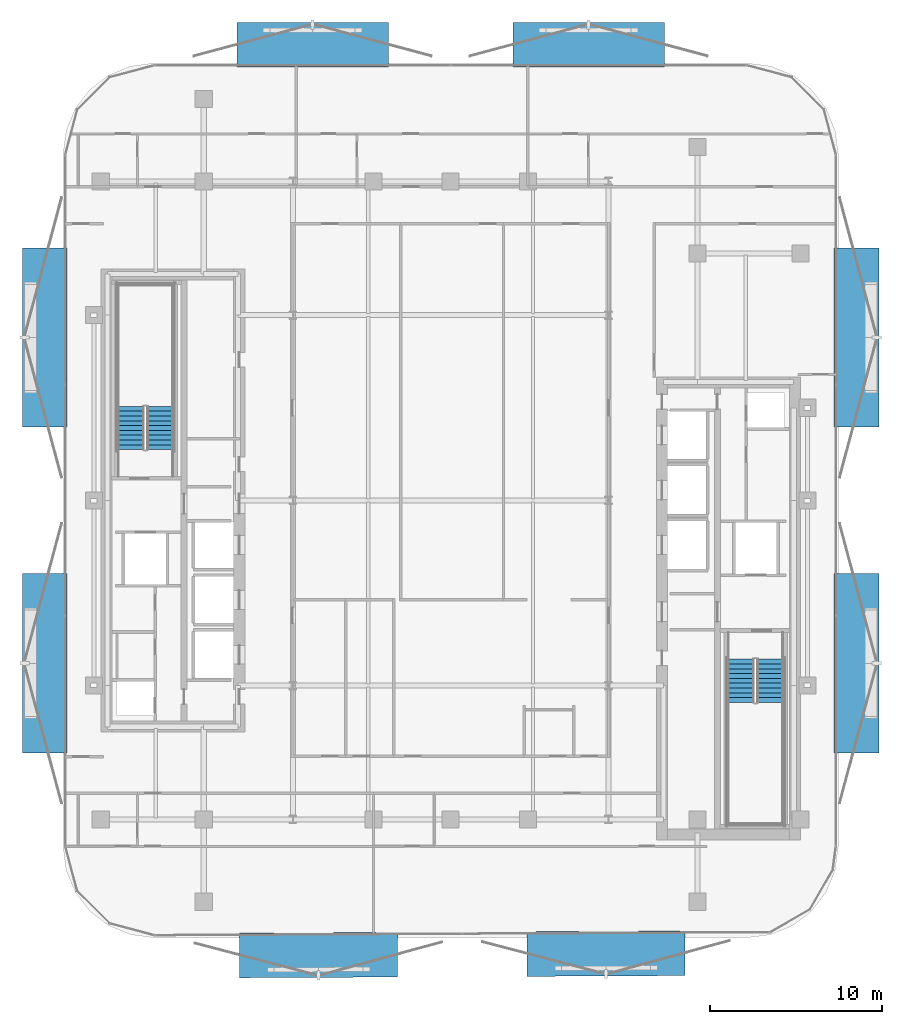
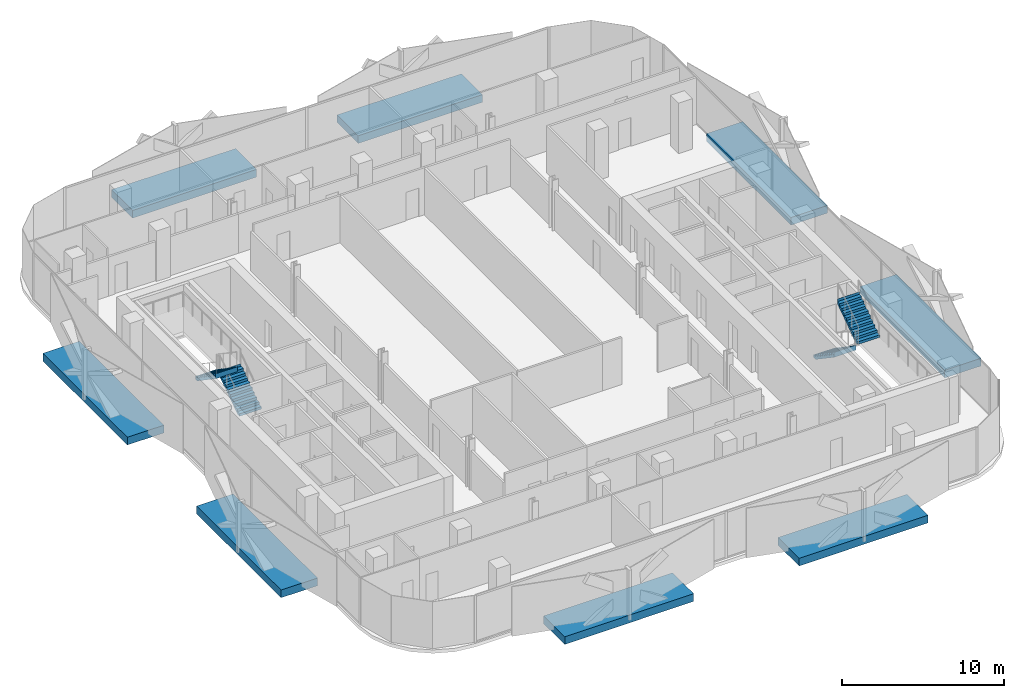
# One storey, part 7 of 16: 8 discrete accessories, 4 stair flights, 2 elements without a shape of their own.
"""IFC4 building model written with IfcOpenShell, lengths in metres."""

import ifcopenshell
import ifcopenshell.guid

model = None  # the IFC model being written
_history = None  # IfcOwnerHistory: only IFC2X3 demands one
_inside = {}  # id of a spatial element -> (the spatial element, [elements in it])
_under = {}  # id of a project, library or spatial element -> (it, [spatial elements below it])
_declared = {}  # id of a project -> (the project, [libraries it declares])
_typed = {}  # id of a type object -> (the type object, [elements of that type])
_made_of = {}  # id of a material, layer set ... -> (it, [elements and type objects made of it])


def new_model(schema):
    """Start an empty IFC model of exactly this schema.

    Asked for "IFC4X3", IfcOpenShell would pick the latest addendum, in which some entities
    have other attributes; the version numbers below select the first issue.
    IFC2X3 requires an IfcOwnerHistory on every rooted entity: one is made here for all.
    """
    global model, _history
    if schema == "IFC4X3":
        model = ifcopenshell.file(schema_version=(4, 3, 0, 0))
    else:
        model = ifcopenshell.file(schema=schema)
    _inside.clear()
    _under.clear()
    _declared.clear()
    _typed.clear()
    _made_of.clear()
    _history = None
    if model.schema == "IFC2X3":
        org = make("IfcOrganization", Name="unknown")
        user = make(
            "IfcPersonAndOrganization",
            ThePerson=make("IfcPerson", FamilyName="unknown"),
            TheOrganization=org,
        )
        app = make(
            "IfcApplication",
            ApplicationDeveloper=org,
            Version="unknown",
            ApplicationFullName="unknown",
            ApplicationIdentifier="unknown",
        )
        _history = make(
            "IfcOwnerHistory",
            OwningUser=user,
            OwningApplication=app,
            ChangeAction="ADDED",
            CreationDate=0,
        )
    return model


def make(cls, **values):
    """One entity of the class cls with the attributes given. An attribute that is None is left unset."""
    return model.create_entity(
        cls, **{name: value for name, value in values.items() if value is not None}
    )


def rooted(cls, **values):
    """An entity with a GlobalId (a new one), such as an element, a storey or a relation."""
    return make(cls, GlobalId=ifcopenshell.guid.new(), OwnerHistory=_history, **values)


def si_unit(unit_type, name, prefix=None):
    """IfcSIUnit, for example si_unit("LENGTHUNIT", "METRE", prefix="MILLI")."""
    return make("IfcSIUnit", UnitType=unit_type, Prefix=prefix, Name=name)


def assignment(units):
    """IfcUnitAssignment: the units of a project."""
    return None if units is None else make("IfcUnitAssignment", Units=units)


def point(xyz):
    """IfcCartesianPoint."""
    return None if xyz is None else make("IfcCartesianPoint", Coordinates=xyz)


def direction(xyz):
    """IfcDirection."""
    return None if xyz is None else make("IfcDirection", DirectionRatios=xyz)


def frame(location, z_axis=None, x_axis=None):
    """IfcAxis2Placement3D, a coordinate frame: its origin and axes. An axis left out is left unset."""
    return make(
        "IfcAxis2Placement3D",
        Location=point(location),
        Axis=direction(z_axis),
        RefDirection=direction(x_axis),
    )


def frame_2d(location, x_axis=None):
    """IfcAxis2Placement2D, a coordinate frame in the plane: its origin and x axis."""
    return make(
        "IfcAxis2Placement2D", Location=point(location), RefDirection=direction(x_axis)
    )


def origin():
    """The frame at (0, 0, 0) with its axes left unset."""
    return frame((0.0, 0.0, 0.0))


def origin_2d():
    """The frame at (0, 0) in the plane with its x axis left unset."""
    return frame_2d((0.0, 0.0))


def place(relative_to, where):
    """IfcLocalPlacement: puts the frame where relative to a parent placement (None: the world)."""
    return make(
        "IfcLocalPlacement", PlacementRelTo=relative_to, RelativePlacement=where
    )


def context(
    kind, dimensions, precision=None, world=None, true_north=None, identifier=None
):
    """IfcGeometricRepresentationContext, for example the 3D "Model" context."""
    return make(
        "IfcGeometricRepresentationContext",
        ContextIdentifier=identifier,
        ContextType=kind,
        CoordinateSpaceDimension=dimensions,
        Precision=precision,
        WorldCoordinateSystem=world,
        TrueNorth=true_north,
    )


def subcontext(parent, identifier, kind, view, scale=None):
    """IfcGeometricRepresentationSubContext, for example "Body" below "Model"."""
    return make(
        "IfcGeometricRepresentationSubContext",
        ContextIdentifier=identifier,
        ContextType=kind,
        ParentContext=parent,
        TargetScale=scale,
        TargetView=view,
    )


def project(units=None, contexts=None):
    """IfcProject with its units and contexts."""
    return rooted(
        "IfcProject",
        Name="project",
        RepresentationContexts=contexts,
        UnitsInContext=assignment(units),
    )


def spatial(cls, under=None, at=None, **own):
    """A site, building, storey or space (cls), placed at a placement, below another one or the project."""
    s = rooted(cls, ObjectPlacement=at, **own)
    if under is not None:
        _under.setdefault(under.id(), (under, []))[1].append(s)
    return s


def polyline(points):
    """IfcPolyline through the points."""
    return make("IfcPolyline", Points=[point(p) for p in points])


def profile(cls, at=None, kind="AREA", **sizes):
    """A parametric profile (cls). Its sizes go by their IFC names, for example OverallWidth=200.0."""
    return make(cls, ProfileType=kind, Position=at, **sizes)


def rectangle(**sizes):
    """IfcRectangleProfileDef."""
    return profile("IfcRectangleProfileDef", **sizes)


def outline(outer, holes=None, kind="AREA"):
    """IfcArbitraryClosedProfileDef: a profile drawn as a closed curve; with holes, ...WithVoids."""
    if holes is None:
        return make("IfcArbitraryClosedProfileDef", ProfileType=kind, OuterCurve=outer)
    return make(
        "IfcArbitraryProfileDefWithVoids",
        ProfileType=kind,
        OuterCurve=outer,
        InnerCurves=holes,
    )


def extrude(swept, where, along, depth):
    """IfcExtrudedAreaSolid: the profile swept, set in the frame where, extruded along a direction by depth."""
    return make(
        "IfcExtrudedAreaSolid",
        SweptArea=swept,
        Position=where,
        ExtrudedDirection=direction(along),
        Depth=depth,
    )


def shape(context_of_items, identifier, shape_type, items):
    """IfcShapeRepresentation: the items that make up one representation, for example the "Body"."""
    return make(
        "IfcShapeRepresentation",
        ContextOfItems=context_of_items,
        RepresentationIdentifier=identifier,
        RepresentationType=shape_type,
        Items=items,
    )


def material(Name=None, Category=None):
    """IfcMaterial."""
    return make("IfcMaterial", Name=Name, Category=Category)


def layer(
    of_material, thickness, ventilated=None, Name=None, Category=None, Priority=None
):
    """IfcMaterialLayer: one layer of a wall or slab, of a material (None: an air gap)."""
    return make(
        "IfcMaterialLayer",
        Material=of_material,
        LayerThickness=thickness,
        IsVentilated=ventilated,
        Name=Name,
        Category=Category,
        Priority=Priority,
    )


def layer_set(layers, Name=None):
    """IfcMaterialLayerSet."""
    return make("IfcMaterialLayerSet", MaterialLayers=layers, LayerSetName=Name)


def made_of(thing, what):
    """Note that an element or type object is made of a material, layer set ...; save() writes the relation."""
    if what is not None:
        _made_of.setdefault(what.id(), (what, []))[1].append(thing)
    return thing


def type_object(cls, material=None, **own):
    """A type object (cls), such as IfcWallType, which elements share."""
    return made_of(rooted(cls, **own), material)


def element(
    cls,
    number,
    at=None,
    inside=None,
    cuts=None,
    type_object=None,
    material=None,
    context=None,
    identifier="Body",
    shape_type=None,
    held_by="IfcProductDefinitionShape",
    body=None,
    shapes=None,
    **own,
):
    """One element of the class cls, such as IfcWall. Its Tag is "e" and its number.

    at: its placement. inside: the storey or other place that contains it. cuts: it is an
    opening in that element (IfcRelVoidsElement). A single representation is given by context,
    identifier, shape_type and body (its items); several are given by shapes. held_by: the class
    of the entity that holds the representations. save() writes the other relations.
    """
    e = rooted(cls, Tag="e%d" % number, ObjectPlacement=at, **own)
    if body is not None:
        shapes = [shape(context, identifier, shape_type, body)]
    if shapes is not None:
        e.Representation = make(held_by, Representations=shapes)
    if inside is not None:
        _inside.setdefault(inside.id(), (inside, []))[1].append(e)
    if cuts is not None:
        rooted(
            "IfcRelVoidsElement", RelatingBuildingElement=cuts, RelatedOpeningElement=e
        )
    if type_object is not None:
        _typed.setdefault(type_object.id(), (type_object, []))[1].append(e)
    return made_of(e, material)


def aggregate(whole, parts):
    """IfcRelAggregates: a whole, such as a stair, and the parts it consists of."""
    return rooted("IfcRelAggregates", RelatingObject=whole, RelatedObjects=parts)


def save(model, path):
    """Write the relations noted so far, then the file.

    IfcRelAggregates (storeys below a building ...), IfcRelContainedInSpatialStructure (elements
    in a storey), IfcRelDefinesByType, IfcRelAssociatesMaterial and IfcRelDeclares: one each for
    every whole, place, type object, material and project.
    """
    for whole, parts in _under.values():
        aggregate(whole, parts)
    for where, things in _inside.values():
        rooted(
            "IfcRelContainedInSpatialStructure",
            RelatedElements=things,
            RelatingStructure=where,
        )
    for kind, things in _typed.values():
        rooted("IfcRelDefinesByType", RelatedObjects=things, RelatingType=kind)
    for what, things in _made_of.values():
        rooted("IfcRelAssociatesMaterial", RelatedObjects=things, RelatingMaterial=what)
    for by, libraries in _declared.values():
        rooted("IfcRelDeclares", RelatingContext=by, RelatedDefinitions=libraries)
    model.write(path)


model = new_model("IFC4")

# Units and contexts
model_context = context("Model", 3, precision=1e-05, world=origin(), true_north=direction((0.0, 1.0)))
body_context = subcontext(model_context, "Body", "Model", "MODEL_VIEW")
ifc_project = project(units=[si_unit("LENGTHUNIT", "METRE"), si_unit("AREAUNIT", "SQUARE_METRE"), si_unit("VOLUMEUNIT", "CUBIC_METRE"), si_unit("PLANEANGLEUNIT", "RADIAN"), si_unit("MASSUNIT", "GRAM", prefix="KILO")], contexts=[model_context])

# Site, building, storey
site_placement = place(None, origin())
site = spatial("IfcSite", under=ifc_project, at=site_placement, CompositionType="ELEMENT")
building_placement = place(site_placement, origin())
building = spatial("IfcBuilding", under=site, at=building_placement, Name="Khairoan Windgate Tower", CompositionType="ELEMENT")
storey_placement = place(building_placement, frame((0.0, 0.0, 187.800048828125)))
storey = spatial("IfcBuildingStorey", under=building, at=storey_placement, Name="L43", CompositionType="ELEMENT", Elevation=187.800048828125)

# Stair, stair flights
ifc_material_1 = material(Name="Concrete C40/50", Category="concrete")
stair_type = type_object("IfcStairType", Name="Tower Core Dog-Leg Stair ST-T1 1560mm", PredefinedType="HALF_TURN_STAIR", material=ifc_material_1)
stair_1_placement = place(storey_placement, origin())
stair_1 = element("IfcStair", 1, at=stair_1_placement, inside=storey, type_object=stair_type, Name="L43 Stair ST1", PredefinedType="HALF_TURN_STAIR")
ifc_material_2 = material(Name="Concrete C40/50", Category="concrete")
ifc_layer = layer(ifc_material_2, 0.14990234375, Name="Concrete C40/50")
ifc_layer_set = layer_set([ifc_layer], Name="Concrete C40/50")
stair_flight_type = type_object("IfcStairFlightType", Name="Tower Core Stair Flight STF-1560", PredefinedType="STRAIGHT", material=ifc_layer_set)
stair_flight_1_placement = place(storey_placement, frame((16.929931640625, -9.260009765625, 0.0), z_axis=(0.0, 0.0, 1.0), x_axis=(0.0, -1.0, 0.0)))
stair_flight_1 = element("IfcStairFlight", 2, at=stair_flight_1_placement, type_object=stair_flight_type, Name="ST1 flight 1", NumberOfRisers=10, NumberOfTreads=9, PredefinedType="STRAIGHT", RiserHeight=0.19, TreadLength=0.28, context=body_context, shape_type="SweptSolid", body=[
    extrude(outline(polyline([(-0.00390625, 0.0), (-0.00390625, 0.18994140625), (0.0, 0.18994140625), (0.280029296875, 0.18994140625), (0.280029296875, 0.3798828125), (0.56005859375, 0.3798828125), (0.56005859375, 0.570068359375), (0.840087890625, 0.570068359375), (0.840087890625, 0.760009765625), (1.1201171875, 0.760009765625), (1.1201171875, 0.949951171875), (1.39990234375, 0.949951171875), (1.39990234375, 1.139892578125), (1.679931640625, 1.139892578125), (1.679931640625, 1.330078125), (1.9599609375, 1.330078125), (1.9599609375, 1.52001953125), (2.239990234375, 1.52001953125), (2.239990234375, 1.7099609375), (2.52001953125, 1.7099609375), (2.52001953125, 1.89990234375), (2.52392578125, 1.89990234375), (2.52392578125, 1.52880859375), (0.266845703125, 0.0), (-0.00390625, 0.0)])), frame((0.0, 0.780029296875, 0.0), z_axis=(0.0, -1.0, 0.0), x_axis=(1.0, 0.0, 0.0)), (0.0, 0.0, 1.0), 1.56005859375),
])
stair_flight_2_placement = place(storey_placement, frame((18.639892578125, -11.780029296875, 1.89990234375), z_axis=(0.0, 0.0, 1.0), x_axis=(0.0, 1.0, 0.0)))
stair_flight_2 = element("IfcStairFlight", 3, at=stair_flight_2_placement, type_object=stair_flight_type, Name="ST1 flight 2", NumberOfRisers=10, NumberOfTreads=9, PredefinedType="STRAIGHT", RiserHeight=0.19, TreadLength=0.28, context=body_context, shape_type="SweptSolid", body=[
    extrude(outline(polyline([(-0.00390625, 0.0), (-0.00390625, 0.18994140625), (0.0, 0.18994140625), (0.280029296875, 0.18994140625), (0.280029296875, 0.3798828125), (0.56005859375, 0.3798828125), (0.56005859375, 0.570068359375), (0.840087890625, 0.570068359375), (0.840087890625, 0.760009765625), (1.1201171875, 0.760009765625), (1.1201171875, 0.949951171875), (1.39990234375, 0.949951171875), (1.39990234375, 1.139892578125), (1.679931640625, 1.139892578125), (1.679931640625, 1.330078125), (1.9599609375, 1.330078125), (1.9599609375, 1.52001953125), (2.239990234375, 1.52001953125), (2.239990234375, 1.7099609375), (2.52001953125, 1.7099609375), (2.52001953125, 1.89990234375), (2.52392578125, 1.89990234375), (2.52392578125, 1.52880859375), (0.266845703125, 0.0), (-0.00390625, 0.0)])), frame((0.0, 0.780029296875, 0.0), z_axis=(0.0, -1.0, 0.0), x_axis=(1.0, 0.0, 0.0)), (0.0, 0.0, 1.0), 1.56005859375),
])
aggregate(stair_1, [stair_flight_1, stair_flight_2])

stair_2_placement = place(storey_placement, origin())
stair_2 = element("IfcStair", 4, at=stair_2_placement, inside=storey, type_object=stair_type, Name="L43 Stair ST2", PredefinedType="HALF_TURN_STAIR")
stair_flight_3_placement = place(storey_placement, frame((-16.929931640625, 2.9599609375, 0.0), z_axis=(0.0, 0.0, 1.0), x_axis=(0.0, 1.0, 0.0)))
stair_flight_3 = element("IfcStairFlight", 5, at=stair_flight_3_placement, type_object=stair_flight_type, Name="ST2 flight 1", NumberOfRisers=10, NumberOfTreads=9, PredefinedType="STRAIGHT", RiserHeight=0.19, TreadLength=0.28, context=body_context, shape_type="SweptSolid", body=[
    extrude(outline(polyline([(-0.00390625, 0.0), (-0.00390625, 0.18994140625), (0.0, 0.18994140625), (0.280029296875, 0.18994140625), (0.280029296875, 0.3798828125), (0.56005859375, 0.3798828125), (0.56005859375, 0.570068359375), (0.840087890625, 0.570068359375), (0.840087890625, 0.760009765625), (1.1201171875, 0.760009765625), (1.1201171875, 0.949951171875), (1.39990234375, 0.949951171875), (1.39990234375, 1.139892578125), (1.679931640625, 1.139892578125), (1.679931640625, 1.330078125), (1.9599609375, 1.330078125), (1.9599609375, 1.52001953125), (2.239990234375, 1.52001953125), (2.239990234375, 1.7099609375), (2.52001953125, 1.7099609375), (2.52001953125, 1.89990234375), (2.52392578125, 1.89990234375), (2.52392578125, 1.52880859375), (0.266845703125, 0.0), (-0.00390625, 0.0)])), frame((0.0, 0.780029296875, 0.0), z_axis=(0.0, -1.0, 0.0), x_axis=(1.0, 0.0, 0.0)), (0.0, 0.0, 1.0), 1.56005859375),
])
stair_flight_4_placement = place(storey_placement, frame((-18.639892578125, 5.47998046875, 1.89990234375), z_axis=(0.0, 0.0, 1.0), x_axis=(0.0, -1.0, 0.0)))
stair_flight_4 = element("IfcStairFlight", 6, at=stair_flight_4_placement, type_object=stair_flight_type, Name="ST2 flight 2", NumberOfRisers=10, NumberOfTreads=9, PredefinedType="STRAIGHT", RiserHeight=0.19, TreadLength=0.28, context=body_context, shape_type="SweptSolid", body=[
    extrude(outline(polyline([(-0.00390625, 0.0), (-0.00390625, 0.18994140625), (0.0, 0.18994140625), (0.280029296875, 0.18994140625), (0.280029296875, 0.3798828125), (0.56005859375, 0.3798828125), (0.56005859375, 0.570068359375), (0.840087890625, 0.570068359375), (0.840087890625, 0.760009765625), (1.1201171875, 0.760009765625), (1.1201171875, 0.949951171875), (1.39990234375, 0.949951171875), (1.39990234375, 1.139892578125), (1.679931640625, 1.139892578125), (1.679931640625, 1.330078125), (1.9599609375, 1.330078125), (1.9599609375, 1.52001953125), (2.239990234375, 1.52001953125), (2.239990234375, 1.7099609375), (2.52001953125, 1.7099609375), (2.52001953125, 1.89990234375), (2.52392578125, 1.89990234375), (2.52392578125, 1.52880859375), (0.266845703125, 0.0), (-0.00390625, 0.0)])), frame((0.0, 0.780029296875, 0.0), z_axis=(0.0, -1.0, 0.0), x_axis=(1.0, 0.0, 0.0)), (0.0, 0.0, 1.0), 1.56005859375),
])
aggregate(stair_2, [stair_flight_3, stair_flight_4])

# Discrete accessories
ifc_material_3 = material(Name="Steel S355", Category="steel")
discrete_accessory_type = type_object("IfcDiscreteAccessoryType", Name="Solar Screen Outrigger Slab Bracket SSB-1", PredefinedType="BRACKET", material=ifc_material_3)
for number, where, z_axis, x_axis, name in (
    (7, (9.0595703125, -26.43017578125, -0.420166015625), (0.0, 0.0, 1.0), (-0.999988059021, -0.004886902454, 0.0), "L43 Solar Screen Outrigger Bracket 281"),
    (8, (-7.703369140625, -26.5126953125, -0.420166015625), (0.0, 0.0, 1.0), (-0.999988059021, -0.004886902454, 0.0), "L43 Solar Screen Outrigger Bracket 282"),
):
    element("IfcDiscreteAccessory", number, at=place(storey_placement, frame(where, z_axis=z_axis, x_axis=x_axis)), inside=storey, type_object=discrete_accessory_type, Name=name, PredefinedType="BRACKET", context=body_context, shape_type="SweptSolid", body=[
        extrude(rectangle(XDim=9.219970703125, YDim=2.60009765625, at=origin_2d()), origin(), (0.0, 0.0, 1.0), 0.580078125),
    ])
for number, where, z_axis, x_axis, name in (
    (9, (-23.659912109375, -9.495361328125, -0.420166015625), (0.0, 0.0, 1.0), (0.0, 1.0, 0.0), "L43 Solar Screen Outrigger Bracket 283"),
    (10, (-23.659912109375, 9.495361328125, -0.420166015625), (0.0, 0.0, 1.0), (0.0, 1.0, 0.0), "L43 Solar Screen Outrigger Bracket 284"),
):
    element("IfcDiscreteAccessory", number, at=place(storey_placement, frame(where, z_axis=z_axis, x_axis=x_axis)), inside=storey, type_object=discrete_accessory_type, Name=name, PredefinedType="BRACKET", context=body_context, shape_type="SweptSolid", body=[
        extrude(rectangle(XDim=10.445068359375, YDim=2.60009765625, at=origin_2d()), origin(), (0.0, 0.0, 1.0), 0.580078125),
    ])
for number, where, z_axis, x_axis, name in (
    (11, (-8.04541015625, 26.56005859375, -0.420166015625), (0.0, 0.0, 1.0), (1.0, 0.0, 0.0), "L43 Solar Screen Outrigger Bracket 285"),
    (12, (8.04541015625, 26.56005859375, -0.420166015625), (0.0, 0.0, 1.0), (1.0, 0.0, 0.0), "L43 Solar Screen Outrigger Bracket 286"),
):
    element("IfcDiscreteAccessory", number, at=place(storey_placement, frame(where, z_axis=z_axis, x_axis=x_axis)), inside=storey, type_object=discrete_accessory_type, Name=name, PredefinedType="BRACKET", context=body_context, shape_type="SweptSolid", body=[
        extrude(rectangle(XDim=8.85009765625, YDim=2.60009765625, at=origin_2d()), origin(), (0.0, 0.0, 1.0), 0.580078125),
    ])
for number, where, z_axis, x_axis, name in (
    (13, (23.659912109375, 9.495361328125, -0.420166015625), (0.0, 0.0, 1.0), (0.0, -1.0, 0.0), "L43 Solar Screen Outrigger Bracket 287"),
    (14, (23.659912109375, -9.495361328125, -0.420166015625), (0.0, 0.0, 1.0), (0.0, -1.0, 0.0), "L43 Solar Screen Outrigger Bracket 288"),
):
    element("IfcDiscreteAccessory", number, at=place(storey_placement, frame(where, z_axis=z_axis, x_axis=x_axis)), inside=storey, type_object=discrete_accessory_type, Name=name, PredefinedType="BRACKET", context=body_context, shape_type="SweptSolid", body=[
        extrude(rectangle(XDim=10.445068359375, YDim=2.60009765625, at=origin_2d()), origin(), (0.0, 0.0, 1.0), 0.580078125),
    ])

save(model, "model.ifc")
